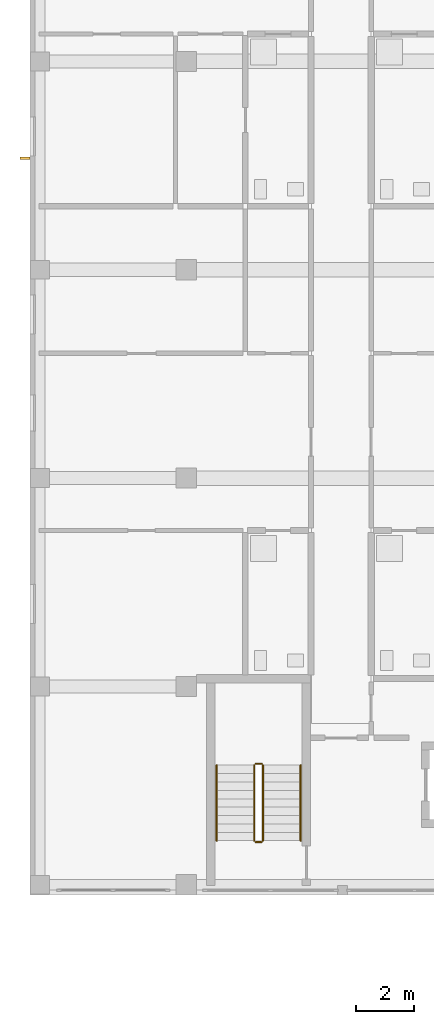
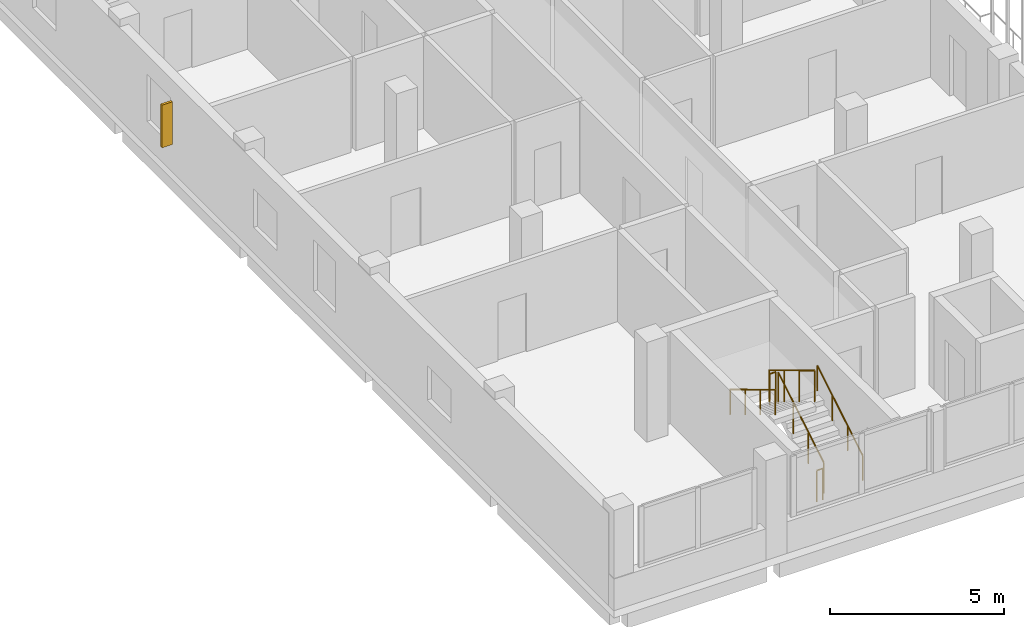
# One storey, part 63 of 73: 6 railings, 1 shading device.
"""IFC4 building model written with IfcOpenShell, lengths in metres."""

from ifc_helpers import new_model, si_unit, derived_unit, direction, frame, origin, origin_2d, place, context, subcontext, project, spatial, rectangle, circle, extrude, material, type_object, element, save


model = new_model("IFC4")

# Units and contexts
model_context = context("Model", 3, precision=1e-05, world=origin(), true_north=direction((0.0, 1.0)))
body_context = subcontext(model_context, "Body", "Model", "MODEL_VIEW")
ifc_project = project(units=[si_unit("LENGTHUNIT", "METRE"), si_unit("AREAUNIT", "SQUARE_METRE"), si_unit("VOLUMEUNIT", "CUBIC_METRE"), si_unit("PLANEANGLEUNIT", "RADIAN"), si_unit("MASSUNIT", "GRAM", prefix="KILO"), derived_unit("THERMALTRANSMITTANCEUNIT", [(si_unit("MASSUNIT", "GRAM", prefix="KILO"), 1), (si_unit("TIMEUNIT", "SECOND"), -3), (si_unit("THERMODYNAMICTEMPERATUREUNIT", "KELVIN"), -1)])], contexts=[model_context])

# Site, building, storey
site_placement = place(None, origin())
site = spatial("IfcSite", under=ifc_project, at=site_placement, CompositionType="ELEMENT")
building_placement = place(site_placement, origin())
building = spatial("IfcBuilding", under=site, at=building_placement, Name="Ochrekiln Boulevard Commons", CompositionType="ELEMENT")
storey_placement = place(building_placement, frame((0.0, 0.0, 8.574951171875)))
storey = spatial("IfcBuildingStorey", under=building, at=storey_placement, Name="L02", CompositionType="ELEMENT", Elevation=8.574951171875)

# Railings
ifc_material_1 = material(Name="Brushed stainless steel 316 tubular railing", Category="steel")
railing_type_1 = type_object("IfcRailingType", Name="RLG-HDR-900", PredefinedType="HANDRAIL", material=ifc_material_1)
railing_1_placement = place(storey_placement, frame((9.35009765625, 70.27001953125, 0.175048828125)))
element("IfcRailing", 1, at=railing_1_placement, inside=storey, type_object=railing_type_1, Name="L02 ST-A1 stair handrail 1", PredefinedType="HANDRAIL", context=body_context, shape_type="SweptSolid", body=[
    extrude(circle(Radius=0.02392578125, at=origin_2d()), frame((0.0, 0.0, 0.8759765625), z_axis=(0.0, 0.85618277418, 0.516673066065), x_axis=(-1.0, 0.0, 0.0)), (0.0, 0.0, 1.0), 3.04833984375),
    extrude(circle(Radius=0.02099609375, at=origin_2d()), origin(), (0.0, 0.0, 1.0), 0.851806640625),
    extrude(circle(Radius=0.02099609375, at=origin_2d()), frame((0.0, 0.869873046875, 0.52490234375)), (0.0, 0.0, 1.0), 0.851806640625),
    extrude(circle(Radius=0.02099609375, at=origin_2d()), frame((0.0, 1.739990234375, 1.050048828125)), (0.0, 0.0, 1.0), 0.851806640625),
    extrude(circle(Radius=0.02099609375, at=origin_2d()), frame((0.0, 2.60986328125, 1.574951171875)), (0.0, 0.0, 1.0), 0.851806640625),
])
railing_2_placement = place(storey_placement, frame((6.449951171875, 72.8798828125, 1.925048828125)))
element("IfcRailing", 2, at=railing_2_placement, inside=storey, type_object=railing_type_1, Name="L02 ST-A1 stair handrail 2", PredefinedType="HANDRAIL", context=body_context, shape_type="SweptSolid", body=[
    extrude(circle(Radius=0.02392578125, at=origin_2d()), frame((0.0, 0.0, 0.8759765625), z_axis=(0.0, -0.85618277418, 0.516673066065), x_axis=(1.0, 0.0, 0.0)), (0.0, 0.0, 1.0), 3.04833984375),
    extrude(circle(Radius=0.02099609375, at=origin_2d()), origin(), (0.0, 0.0, 1.0), 0.851806640625),
    extrude(circle(Radius=0.02099609375, at=origin_2d()), frame((0.0, -0.869873046875, 0.52490234375)), (0.0, 0.0, 1.0), 0.851806640625),
    extrude(circle(Radius=0.02099609375, at=origin_2d()), frame((0.0, -1.739990234375, 1.050048828125)), (0.0, 0.0, 1.0), 0.851806640625),
    extrude(circle(Radius=0.02099609375, at=origin_2d()), frame((0.0, -2.60986328125, 1.574951171875)), (0.0, 0.0, 1.0), 0.851806640625),
])
railing_type_2 = type_object("IfcRailingType", Name="RLG-STR-1120", PredefinedType="BALUSTRADE", material=ifc_material_1)
railing_3_placement = place(storey_placement, frame((8.050048828125, 70.27001953125, 0.175048828125)))
element("IfcRailing", 3, at=railing_3_placement, inside=storey, type_object=railing_type_2, Name="L02 ST-A1 stair guard 1", PredefinedType="BALUSTRADE", context=body_context, shape_type="SweptSolid", body=[
    extrude(circle(Radius=0.02392578125, at=origin_2d()), frame((0.0, 0.0, 1.09619140625), z_axis=(0.0, 0.85618277418, 0.516673066065), x_axis=(-1.0, 0.0, 0.0)), (0.0, 0.0, 1.0), 3.04833984375),
    extrude(circle(Radius=0.02099609375, at=origin_2d()), origin(), (0.0, 0.0, 1.0), 1.072021484375),
    extrude(circle(Radius=0.02099609375, at=origin_2d()), frame((0.0, 0.869873046875, 0.52490234375)), (0.0, 0.0, 1.0), 1.072021484375),
    extrude(circle(Radius=0.02099609375, at=origin_2d()), frame((0.0, 1.739990234375, 1.050048828125)), (0.0, 0.0, 1.0), 1.072021484375),
    extrude(circle(Radius=0.02099609375, at=origin_2d()), frame((0.0, 2.60986328125, 1.574951171875)), (0.0, 0.0, 1.0), 1.072021484375),
])
railing_4_placement = place(storey_placement, frame((8.0, 72.929931640625, 1.75)))
element("IfcRailing", 4, at=railing_4_placement, inside=storey, type_object=railing_type_2, Name="L02 ST-A1 stair guard 2", PredefinedType="BALUSTRADE", context=body_context, shape_type="SweptSolid", body=[
    extrude(circle(Radius=0.02392578125, at=origin_2d()), frame((0.0, 0.0, 1.09619140625), z_axis=(-1.0, 0.0, 0.0), x_axis=(0.0, -1.0, 0.0)), (0.0, 0.0, 1.0), 0.199951171875),
    extrude(circle(Radius=0.02099609375, at=origin_2d()), origin(), (0.0, 0.0, 1.0), 1.072021484375),
    extrude(circle(Radius=0.02099609375, at=origin_2d()), frame((-0.199951171875, 0.0, 0.0)), (0.0, 0.0, 1.0), 1.072021484375),
])
railing_5_placement = place(storey_placement, frame((7.75, 72.8798828125, 1.925048828125)))
element("IfcRailing", 5, at=railing_5_placement, inside=storey, type_object=railing_type_2, Name="L02 ST-A1 stair guard 3", PredefinedType="BALUSTRADE", context=body_context, shape_type="SweptSolid", body=[
    extrude(circle(Radius=0.02392578125, at=origin_2d()), frame((0.0, 0.0, 1.09619140625), z_axis=(0.0, -0.85618277418, 0.516673066065), x_axis=(1.0, 0.0, 0.0)), (0.0, 0.0, 1.0), 3.04833984375),
    extrude(circle(Radius=0.02099609375, at=origin_2d()), origin(), (0.0, 0.0, 1.0), 1.072021484375),
    extrude(circle(Radius=0.02099609375, at=origin_2d()), frame((0.0, -0.869873046875, 0.52490234375)), (0.0, 0.0, 1.0), 1.072021484375),
    extrude(circle(Radius=0.02099609375, at=origin_2d()), frame((0.0, -1.739990234375, 1.050048828125)), (0.0, 0.0, 1.0), 1.072021484375),
    extrude(circle(Radius=0.02099609375, at=origin_2d()), frame((0.0, -2.60986328125, 1.574951171875)), (0.0, 0.0, 1.0), 1.072021484375),
])
railing_6_placement = place(storey_placement, frame((8.0, 70.219970703125, 0.0)))
element("IfcRailing", 6, at=railing_6_placement, inside=storey, type_object=railing_type_2, Name="L02 ST-A1 stair guard 4", PredefinedType="BALUSTRADE", context=body_context, shape_type="SweptSolid", body=[
    extrude(circle(Radius=0.02392578125, at=origin_2d()), frame((0.0, 0.0, 1.09619140625), z_axis=(-1.0, 0.0, 0.0), x_axis=(0.0, -1.0, 0.0)), (0.0, 0.0, 1.0), 0.199951171875),
    extrude(circle(Radius=0.02099609375, at=origin_2d()), origin(), (0.0, 0.0, 1.0), 1.072021484375),
    extrude(circle(Radius=0.02099609375, at=origin_2d()), frame((-0.199951171875, 0.0, 0.0)), (0.0, 0.0, 1.0), 1.072021484375),
])

# Shading device
ifc_material_2 = material(Name="Glazed architectural terracotta ASTM C1405", Category="masonry")
shading_device_type = type_object("IfcShadingDeviceType", Name="SHD-FIN-TERRA", PredefinedType="JALOUSIE", material=ifc_material_2)
shading_device_placement = place(storey_placement, frame((-0.169921875, 93.85107421875, 0.97509765625), z_axis=(0.0, 0.0, 1.0), x_axis=(1.0, 0.0, 0.0)))
element("IfcShadingDevice", 7, at=shading_device_placement, inside=storey, type_object=shading_device_type, Name="Terracotta Solar Shading Fin SF-01 (4)", PredefinedType="JALOUSIE", context=body_context, shape_type="SweptSolid", body=[
    extrude(rectangle(XDim=0.35009765625, YDim=0.080078125, at=origin_2d()), origin(), (0.0, 0.0, 1.0), 1.5),
])

save(model, "model.ifc")
